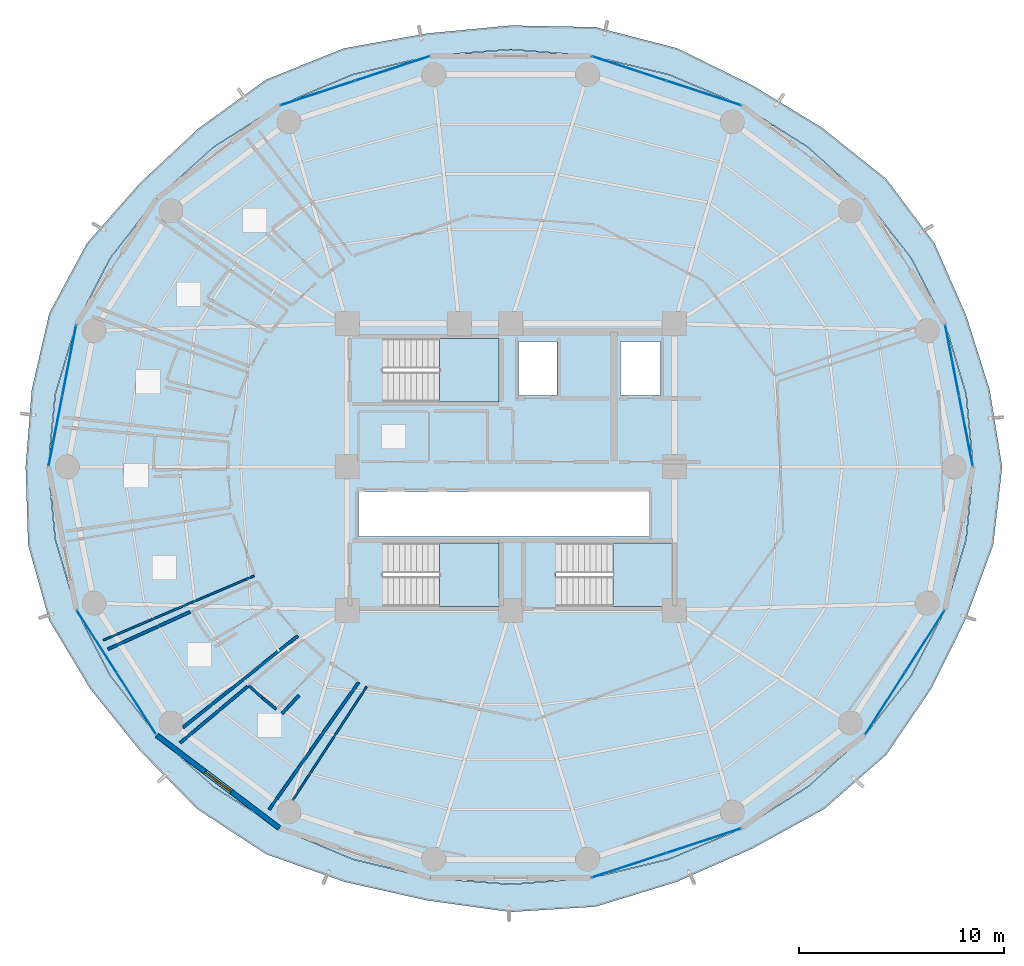
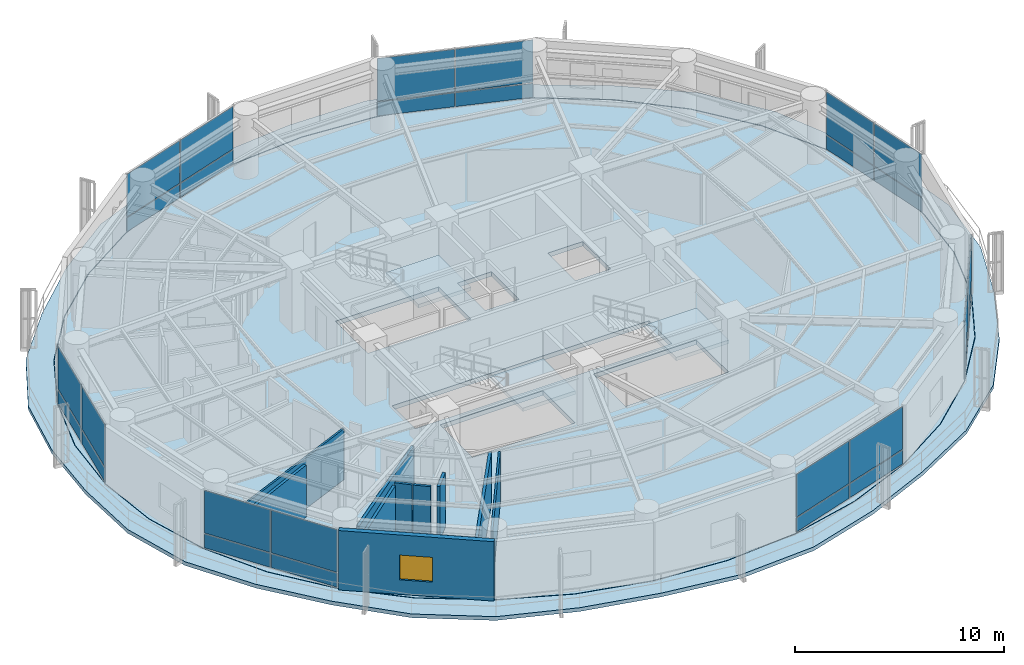
# One storey, part 20 of 28: 28 plates, 10 walls, 5 slabs, 1 window, 1 opening, 10 elements without a shape of their own.
"""IFC4 building model written with IfcOpenShell, lengths in metres."""

import ifcopenshell
import ifcopenshell.guid

model = None  # the IFC model being written
_history = None  # IfcOwnerHistory: only IFC2X3 demands one
_inside = {}  # id of a spatial element -> (the spatial element, [elements in it])
_under = {}  # id of a project, library or spatial element -> (it, [spatial elements below it])
_declared = {}  # id of a project -> (the project, [libraries it declares])
_typed = {}  # id of a type object -> (the type object, [elements of that type])
_made_of = {}  # id of a material, layer set ... -> (it, [elements and type objects made of it])


def new_model(schema):
    """Start an empty IFC model of exactly this schema.

    Asked for "IFC4X3", IfcOpenShell would pick the latest addendum, in which some entities
    have other attributes; the version numbers below select the first issue.
    IFC2X3 requires an IfcOwnerHistory on every rooted entity: one is made here for all.
    """
    global model, _history
    if schema == "IFC4X3":
        model = ifcopenshell.file(schema_version=(4, 3, 0, 0))
    else:
        model = ifcopenshell.file(schema=schema)
    _inside.clear()
    _under.clear()
    _declared.clear()
    _typed.clear()
    _made_of.clear()
    _history = None
    if model.schema == "IFC2X3":
        org = make("IfcOrganization", Name="unknown")
        user = make(
            "IfcPersonAndOrganization",
            ThePerson=make("IfcPerson", FamilyName="unknown"),
            TheOrganization=org,
        )
        app = make(
            "IfcApplication",
            ApplicationDeveloper=org,
            Version="unknown",
            ApplicationFullName="unknown",
            ApplicationIdentifier="unknown",
        )
        _history = make(
            "IfcOwnerHistory",
            OwningUser=user,
            OwningApplication=app,
            ChangeAction="ADDED",
            CreationDate=0,
        )
    return model


def make(cls, **values):
    """One entity of the class cls with the attributes given. An attribute that is None is left unset."""
    return model.create_entity(
        cls, **{name: value for name, value in values.items() if value is not None}
    )


def rooted(cls, **values):
    """An entity with a GlobalId (a new one), such as an element, a storey or a relation."""
    return make(cls, GlobalId=ifcopenshell.guid.new(), OwnerHistory=_history, **values)


def si_unit(unit_type, name, prefix=None):
    """IfcSIUnit, for example si_unit("LENGTHUNIT", "METRE", prefix="MILLI")."""
    return make("IfcSIUnit", UnitType=unit_type, Prefix=prefix, Name=name)


def assignment(units):
    """IfcUnitAssignment: the units of a project."""
    return None if units is None else make("IfcUnitAssignment", Units=units)


def point(xyz):
    """IfcCartesianPoint."""
    return None if xyz is None else make("IfcCartesianPoint", Coordinates=xyz)


def direction(xyz):
    """IfcDirection."""
    return None if xyz is None else make("IfcDirection", DirectionRatios=xyz)


def frame(location, z_axis=None, x_axis=None):
    """IfcAxis2Placement3D, a coordinate frame: its origin and axes. An axis left out is left unset."""
    return make(
        "IfcAxis2Placement3D",
        Location=point(location),
        Axis=direction(z_axis),
        RefDirection=direction(x_axis),
    )


def frame_2d(location, x_axis=None):
    """IfcAxis2Placement2D, a coordinate frame in the plane: its origin and x axis."""
    return make(
        "IfcAxis2Placement2D", Location=point(location), RefDirection=direction(x_axis)
    )


def origin():
    """The frame at (0, 0, 0) with its axes left unset."""
    return frame((0.0, 0.0, 0.0))


def origin_2d():
    """The frame at (0, 0) in the plane with its x axis left unset."""
    return frame_2d((0.0, 0.0))


def place(relative_to, where):
    """IfcLocalPlacement: puts the frame where relative to a parent placement (None: the world)."""
    return make(
        "IfcLocalPlacement", PlacementRelTo=relative_to, RelativePlacement=where
    )


def context(
    kind, dimensions, precision=None, world=None, true_north=None, identifier=None
):
    """IfcGeometricRepresentationContext, for example the 3D "Model" context."""
    return make(
        "IfcGeometricRepresentationContext",
        ContextIdentifier=identifier,
        ContextType=kind,
        CoordinateSpaceDimension=dimensions,
        Precision=precision,
        WorldCoordinateSystem=world,
        TrueNorth=true_north,
    )


def subcontext(parent, identifier, kind, view, scale=None):
    """IfcGeometricRepresentationSubContext, for example "Body" below "Model"."""
    return make(
        "IfcGeometricRepresentationSubContext",
        ContextIdentifier=identifier,
        ContextType=kind,
        ParentContext=parent,
        TargetScale=scale,
        TargetView=view,
    )


def project(units=None, contexts=None):
    """IfcProject with its units and contexts."""
    return rooted(
        "IfcProject",
        Name="project",
        RepresentationContexts=contexts,
        UnitsInContext=assignment(units),
    )


def spatial(cls, under=None, at=None, **own):
    """A site, building, storey or space (cls), placed at a placement, below another one or the project."""
    s = rooted(cls, ObjectPlacement=at, **own)
    if under is not None:
        _under.setdefault(under.id(), (under, []))[1].append(s)
    return s


def polyline(points):
    """IfcPolyline through the points."""
    return make("IfcPolyline", Points=[point(p) for p in points])


def profile(cls, at=None, kind="AREA", **sizes):
    """A parametric profile (cls). Its sizes go by their IFC names, for example OverallWidth=200.0."""
    return make(cls, ProfileType=kind, Position=at, **sizes)


def rectangle(**sizes):
    """IfcRectangleProfileDef."""
    return profile("IfcRectangleProfileDef", **sizes)


def outline(outer, holes=None, kind="AREA"):
    """IfcArbitraryClosedProfileDef: a profile drawn as a closed curve; with holes, ...WithVoids."""
    if holes is None:
        return make("IfcArbitraryClosedProfileDef", ProfileType=kind, OuterCurve=outer)
    return make(
        "IfcArbitraryProfileDefWithVoids",
        ProfileType=kind,
        OuterCurve=outer,
        InnerCurves=holes,
    )


def extrude(swept, where, along, depth):
    """IfcExtrudedAreaSolid: the profile swept, set in the frame where, extruded along a direction by depth."""
    return make(
        "IfcExtrudedAreaSolid",
        SweptArea=swept,
        Position=where,
        ExtrudedDirection=direction(along),
        Depth=depth,
    )


def shape(context_of_items, identifier, shape_type, items):
    """IfcShapeRepresentation: the items that make up one representation, for example the "Body"."""
    return make(
        "IfcShapeRepresentation",
        ContextOfItems=context_of_items,
        RepresentationIdentifier=identifier,
        RepresentationType=shape_type,
        Items=items,
    )


def source(mapping_origin, context_of_items, identifier, shape_type, items):
    """IfcRepresentationMap: a shape defined once, which mapped items show again and again."""
    return make(
        "IfcRepresentationMap",
        MappingOrigin=mapping_origin,
        MappedRepresentation=shape(context_of_items, identifier, shape_type, items),
    )


def transform(
    local_origin,
    x_axis=None,
    y_axis=None,
    z_axis=None,
    scale=None,
    scale2=None,
    scale3=None,
    uniform=True,
):
    """IfcCartesianTransformationOperator3D, or its non-uniform kind. x_axis, y_axis, z_axis: its Axis1, 2, 3."""
    if uniform:
        return make(
            "IfcCartesianTransformationOperator3D",
            Axis1=direction(x_axis),
            Axis2=direction(y_axis),
            LocalOrigin=point(local_origin),
            Scale=scale,
            Axis3=direction(z_axis),
        )
    return make(
        "IfcCartesianTransformationOperator3DnonUniform",
        Axis1=direction(x_axis),
        Axis2=direction(y_axis),
        LocalOrigin=point(local_origin),
        Scale=scale,
        Axis3=direction(z_axis),
        Scale2=scale2,
        Scale3=scale3,
    )


def mapped(mapping_source, mapping_target):
    """IfcMappedItem: shows the shape of a source again, moved by a transform."""
    return make(
        "IfcMappedItem", MappingSource=mapping_source, MappingTarget=mapping_target
    )


def material(Name=None, Category=None):
    """IfcMaterial."""
    return make("IfcMaterial", Name=Name, Category=Category)


def layer(
    of_material, thickness, ventilated=None, Name=None, Category=None, Priority=None
):
    """IfcMaterialLayer: one layer of a wall or slab, of a material (None: an air gap)."""
    return make(
        "IfcMaterialLayer",
        Material=of_material,
        LayerThickness=thickness,
        IsVentilated=ventilated,
        Name=Name,
        Category=Category,
        Priority=Priority,
    )


def layer_set(layers, Name=None):
    """IfcMaterialLayerSet."""
    return make("IfcMaterialLayerSet", MaterialLayers=layers, LayerSetName=Name)


def made_of(thing, what):
    """Note that an element or type object is made of a material, layer set ...; save() writes the relation."""
    if what is not None:
        _made_of.setdefault(what.id(), (what, []))[1].append(thing)
    return thing


def type_object(cls, material=None, **own):
    """A type object (cls), such as IfcWallType, which elements share."""
    return made_of(rooted(cls, **own), material)


def element(
    cls,
    number,
    at=None,
    inside=None,
    cuts=None,
    type_object=None,
    material=None,
    context=None,
    identifier="Body",
    shape_type=None,
    held_by="IfcProductDefinitionShape",
    body=None,
    shapes=None,
    **own,
):
    """One element of the class cls, such as IfcWall. Its Tag is "e" and its number.

    at: its placement. inside: the storey or other place that contains it. cuts: it is an
    opening in that element (IfcRelVoidsElement). A single representation is given by context,
    identifier, shape_type and body (its items); several are given by shapes. held_by: the class
    of the entity that holds the representations. save() writes the other relations.
    """
    e = rooted(cls, Tag="e%d" % number, ObjectPlacement=at, **own)
    if body is not None:
        shapes = [shape(context, identifier, shape_type, body)]
    if shapes is not None:
        e.Representation = make(held_by, Representations=shapes)
    if inside is not None:
        _inside.setdefault(inside.id(), (inside, []))[1].append(e)
    if cuts is not None:
        rooted(
            "IfcRelVoidsElement", RelatingBuildingElement=cuts, RelatedOpeningElement=e
        )
    if type_object is not None:
        _typed.setdefault(type_object.id(), (type_object, []))[1].append(e)
    return made_of(e, material)


def fill(opening, filler):
    """IfcRelFillsElement: the door or window that sits in an opening."""
    return rooted(
        "IfcRelFillsElement",
        RelatingOpeningElement=opening,
        RelatedBuildingElement=filler,
    )


def aggregate(whole, parts):
    """IfcRelAggregates: a whole, such as a stair, and the parts it consists of."""
    return rooted("IfcRelAggregates", RelatingObject=whole, RelatedObjects=parts)


def save(model, path):
    """Write the relations noted so far, then the file.

    IfcRelAggregates (storeys below a building ...), IfcRelContainedInSpatialStructure (elements
    in a storey), IfcRelDefinesByType, IfcRelAssociatesMaterial and IfcRelDeclares: one each for
    every whole, place, type object, material and project.
    """
    for whole, parts in _under.values():
        aggregate(whole, parts)
    for where, things in _inside.values():
        rooted(
            "IfcRelContainedInSpatialStructure",
            RelatedElements=things,
            RelatingStructure=where,
        )
    for kind, things in _typed.values():
        rooted("IfcRelDefinesByType", RelatedObjects=things, RelatingType=kind)
    for what, things in _made_of.values():
        rooted("IfcRelAssociatesMaterial", RelatedObjects=things, RelatingMaterial=what)
    for by, libraries in _declared.values():
        rooted("IfcRelDeclares", RelatingContext=by, RelatedDefinitions=libraries)
    model.write(path)


model = new_model("IFC4")

# Units and contexts
model_context = context("Model", 3, precision=1e-05, world=origin(), true_north=direction((0.0, 1.0)))
body_context = subcontext(model_context, "Body", "Model", "MODEL_VIEW")
ifc_project = project(units=[si_unit("LENGTHUNIT", "METRE"), si_unit("AREAUNIT", "SQUARE_METRE"), si_unit("VOLUMEUNIT", "CUBIC_METRE"), si_unit("PLANEANGLEUNIT", "RADIAN"), si_unit("MASSUNIT", "GRAM", prefix="KILO")], contexts=[model_context])

# Site, building, storey
site_placement = place(None, origin())
site = spatial("IfcSite", under=ifc_project, at=site_placement, CompositionType="ELEMENT")
building_placement = place(site_placement, origin())
building = spatial("IfcBuilding", under=site, at=building_placement, Name="Kelanora Arch Commons", CompositionType="ELEMENT")
storey_placement = place(building_placement, frame((0.0, 0.0, 176.85009765625)))
storey = spatial("IfcBuildingStorey", under=building, at=storey_placement, Name="L45", CompositionType="ELEMENT", Elevation=176.85009765625)

# Stair, slab
ifc_material_1 = material(Name="Concrete C40/50", Category="concrete")
stair_type = type_object("IfcStairType", Name="STR-DL-375", PredefinedType="HALF_TURN_STAIR", material=ifc_material_1)
stair_1_placement = place(storey_placement, origin())
stair_1 = element("IfcStair", 1, at=stair_1_placement, inside=storey, type_object=stair_type, Name="L45 ST-T1", PredefinedType="HALF_TURN_STAIR")
ifc_layer_1 = layer(ifc_material_1, 0.199951171875)
ifc_layer_set_1 = layer_set([ifc_layer_1], Name="Concrete C40/50")
slab_type_1 = type_object("IfcSlabType", Name="SLB-STAIR-LND", PredefinedType="LANDING", material=ifc_layer_set_1)
slab_1_placement = place(storey_placement, frame((0.0, 0.0, 1.6748046875)))
slab_1 = element("IfcSlab", 2, at=slab_1_placement, type_object=slab_type_1, Name="ST-T1 landing 1", PredefinedType="LANDING", context=body_context, shape_type="SweptSolid", body=[
    extrude(outline(polyline([(70.52001953125, 61.179931640625), (73.43994140625, 61.179931640625), (73.43994140625, 64.2900390625), (70.52001953125, 64.2900390625), (70.52001953125, 61.179931640625)])), origin(), (0.0, 0.0, 1.0), 0.2001953125),
])
aggregate(stair_1, [slab_1])

stair_2_placement = place(storey_placement, origin())
stair_2 = element("IfcStair", 3, at=stair_2_placement, inside=storey, type_object=stair_type, Name="L45 ST-T2", PredefinedType="HALF_TURN_STAIR")
slab_2_placement = place(storey_placement, frame((0.0, 0.0, 1.6748046875)))
slab_2 = element("IfcSlab", 4, at=slab_2_placement, type_object=slab_type_1, Name="ST-T2 landing 1", PredefinedType="LANDING", context=body_context, shape_type="SweptSolid", body=[
    extrude(outline(polyline([(79.0, 51.179931640625), (81.919921875, 51.179931640625), (81.919921875, 54.2900390625), (79.0, 54.2900390625), (79.0, 51.179931640625)])), origin(), (0.0, 0.0, 1.0), 0.2001953125),
])
aggregate(stair_2, [slab_2])

stair_3_placement = place(storey_placement, origin())
stair_3 = element("IfcStair", 5, at=stair_3_placement, inside=storey, type_object=stair_type, Name="L45 ST-T3", PredefinedType="HALF_TURN_STAIR")
slab_3_placement = place(storey_placement, frame((0.0, 0.0, 1.6748046875)))
slab_3 = element("IfcSlab", 6, at=slab_3_placement, type_object=slab_type_1, Name="ST-T3 landing 1", PredefinedType="LANDING", context=body_context, shape_type="SweptSolid", body=[
    extrude(outline(polyline([(70.52001953125, 51.179931640625), (73.43994140625, 51.179931640625), (73.43994140625, 54.2900390625), (70.52001953125, 54.2900390625), (70.52001953125, 51.179931640625)])), origin(), (0.0, 0.0, 1.0), 0.2001953125),
])
aggregate(stair_3, [slab_3])

# Slabs
ifc_layer_2 = layer(ifc_material_1, 0.260009765625)
ifc_layer_set_2 = layer_set([ifc_layer_2], Name="Concrete C40/50")
slab_type_2 = type_object("IfcSlabType", Name="SLB-TWR-TYP", PredefinedType="FLOOR", material=ifc_layer_set_2)
slab_4_placement = place(storey_placement, frame((0.0, 0.0, -0.260009765625)))
element("IfcSlab", 7, at=slab_4_placement, inside=storey, type_object=slab_type_2, Name="Tower Floor Slab L45", PredefinedType="FLOOR", context=body_context, shape_type="SweptSolid", body=[
    extrude(outline(polyline([(96.60009765625, 58.0), (96.256591796875, 61.54248046875), (95.237060546875, 64.977294921875), (93.572265625, 68.199951171875), (91.3125, 71.11279296875), (88.527099609375, 73.627197265625), (85.300048828125, 75.6669921875), (81.729736328125, 77.169677734375), (77.92431640625, 78.090087890625), (74.0, 78.39990234375), (70.07568359375, 78.090087890625), (66.270263671875, 77.169677734375), (62.699951171875, 75.6669921875), (59.472900390625, 73.627197265625), (56.6875, 71.11279296875), (54.427734375, 68.199951171875), (52.762939453125, 64.977294921875), (51.743408203125, 61.54248046875), (51.39990234375, 58.0), (51.743408203125, 54.45751953125), (52.762939453125, 51.022705078125), (54.427734375, 47.800048828125), (56.6875, 44.88720703125), (59.472900390625, 42.372802734375), (62.699951171875, 40.3330078125), (66.270263671875, 38.830322265625), (70.07568359375, 37.909912109375), (74.0, 37.60009765625), (77.92431640625, 37.909912109375), (81.729736328125, 38.830322265625), (85.300048828125, 40.3330078125), (88.527099609375, 42.372802734375), (91.3125, 44.88720703125), (93.572265625, 47.800048828125), (95.237060546875, 51.022705078125), (96.256591796875, 54.45751953125), (96.60009765625, 58.0)]), holes=[polyline([(73.431884765625, 51.18798828125), (67.72802734375, 51.18798828125), (67.72802734375, 54.281982421875), (73.431884765625, 54.281982421875), (73.431884765625, 51.18798828125)]), polyline([(76.2080078125, 51.18798828125), (76.2080078125, 54.281982421875), (81.912109375, 54.281982421875), (81.912109375, 51.18798828125), (76.2080078125, 51.18798828125)]), polyline([(66.550048828125, 54.60009765625), (66.550048828125, 56.800048828125), (80.75, 56.800048828125), (80.75, 54.60009765625), (66.550048828125, 54.60009765625)]), polyline([(73.431884765625, 61.18798828125), (67.72802734375, 61.18798828125), (67.72802734375, 64.281982421875), (73.431884765625, 64.281982421875), (73.431884765625, 61.18798828125)]), polyline([(74.3798828125, 61.47998046875), (74.3798828125, 64.1201171875), (76.260009765625, 64.1201171875), (76.260009765625, 61.47998046875), (74.3798828125, 61.47998046875)]), polyline([(79.3798828125, 61.47998046875), (79.3798828125, 64.1201171875), (81.320068359375, 64.1201171875), (81.320068359375, 61.47998046875), (79.3798828125, 61.47998046875)])]), origin(), (0.0, 0.0, 1.0), 0.260009765625),
])
ifc_layer_3 = layer(ifc_material_1, 0.219970703125)
ifc_layer_set_3 = layer_set([ifc_layer_3], Name="Concrete C40/50")
slab_type_3 = type_object("IfcSlabType", Name="SLB-WAVE-BAL", PredefinedType="FLOOR", material=ifc_layer_set_3)
slab_5_placement = place(storey_placement, frame((0.0, 0.0, -0.22021484375)))
element("IfcSlab", 8, at=slab_5_placement, inside=storey, type_object=slab_type_3, Name="Sinusoidal Wave Balcony Slab L45", PredefinedType="FLOOR", context=body_context, shape_type="SweptSolid", body=[
    extrude(outline(polyline([(98.025634765625, 58.0), (97.41455078125, 61.7685546875), (96.270263671875, 65.393798828125), (94.7177734375, 68.9326171875), (92.356689453125, 72.08349609375), (89.239501953125, 74.56787109375), (85.814697265625, 76.65478515625), (82.154052734375, 78.461669921875), (78.1484375, 79.498046875), (74.0, 79.579833984375), (69.900390625, 79.190185546875), (65.845947265625, 78.461669921875), (62.041015625, 76.93115234375), (58.760498046875, 74.56787109375), (55.87158203125, 71.871337890625), (53.2822265625, 68.9326171875), (51.440673828125, 65.510498046875), (50.58544921875, 61.7685546875), (50.2861328125, 58.0), (50.40869140625, 54.197021484375), (51.440673828125, 50.489501953125), (53.433837890625, 47.164306640625), (55.87158203125, 44.128662109375), (58.652099609375, 41.288818359375), (62.041015625, 39.06884765625), (65.902099609375, 37.70947265625), (69.900390625, 36.809814453125), (74.0, 36.240234375), (78.1484375, 36.501953125), (82.097900390625, 37.70947265625), (85.814697265625, 39.34521484375), (89.347900390625, 41.288818359375), (92.356689453125, 43.91650390625), (94.566162109375, 47.164306640625), (96.270263671875, 50.606201171875), (97.59130859375, 54.197021484375), (98.025634765625, 58.0)]), holes=[polyline([(96.2763671875, 54.4541015625), (95.255859375, 51.015869140625), (93.589599609375, 47.7900390625), (91.327880859375, 44.874267578125), (88.539794921875, 42.357421875), (85.31005859375, 40.31591796875), (81.736572265625, 38.8115234375), (77.927978515625, 37.89013671875), (74.0, 37.580078125), (70.072021484375, 37.89013671875), (66.263427734375, 38.8115234375), (62.68994140625, 40.31591796875), (59.460205078125, 42.357421875), (56.672119140625, 44.874267578125), (54.410400390625, 47.7900390625), (52.744140625, 51.015869140625), (51.7236328125, 54.4541015625), (51.3798828125, 58.0), (51.7236328125, 61.5458984375), (52.744140625, 64.984130859375), (54.410400390625, 68.2099609375), (56.672119140625, 71.125732421875), (59.460205078125, 73.642578125), (62.68994140625, 75.68408203125), (66.263427734375, 77.1884765625), (70.072021484375, 78.10986328125), (74.0, 78.419921875), (77.927978515625, 78.10986328125), (81.736572265625, 77.1884765625), (85.31005859375, 75.68408203125), (88.539794921875, 73.642578125), (91.327880859375, 71.125732421875), (93.589599609375, 68.2099609375), (95.255859375, 64.984130859375), (96.2763671875, 61.5458984375), (96.6201171875, 58.0), (96.2763671875, 54.4541015625)])]), origin(), (0.0, 0.0, 1.0), 0.22021484375),
])

# Curtain wall, plates
ifc_material_2 = material(Name="Terracotta ceramic-fritted low-E glass and aluminium", Category="masonry")
ifc_layer_4 = layer(ifc_material_2, 0.175048828125)
ifc_layer_set_4 = layer_set([ifc_layer_4], Name="Terracotta ceramic-fritted low-E glass and aluminium")
curtain_wall_type = type_object("IfcCurtainWallType", Name="CW-SYS-02", PredefinedType="NOTDEFINED", material=ifc_layer_set_4)
curtain_wall_1_placement = place(storey_placement, origin())
curtain_wall_1 = element("IfcCurtainWall", 9, at=curtain_wall_1_placement, inside=storey, type_object=curtain_wall_type, Name="Unitised Curtain Wall L45-B00", PredefinedType="NOTDEFINED")
ifc_material_3 = material(Name="Terracotta ceramic-fritted double glazing", Category="masonry")
ifc_layer_5 = layer(ifc_material_3, 0.028076171875)
ifc_layer_set_5 = layer_set([ifc_layer_5], Name="Terracotta ceramic-fritted double glazing")
plate_type = type_object("IfcPlateType", Name="CWP-FRIT", PredefinedType="CURTAIN_PANEL", material=ifc_layer_set_5)
shared_shape_1 = source(origin(), body_context, "Body", "SweptSolid", [
    extrude(rectangle(XDim=3.449462890625, YDim=0.028076171875, at=origin_2d()), origin(), (0.0, 0.0, 1.0), 0.81005859375),
])
plate_1_placement = place(storey_placement, frame((96.2548828125, 59.766357421875, 0.059814453125), z_axis=(0.0, 0.0, 1.0), x_axis=(-0.191705182375, 0.981452557718, 0.0)))
plate_1 = element("IfcPlate", 10, at=plate_1_placement, type_object=plate_type, Name="CW-02 panel 1.1", PredefinedType="CURTAIN_PANEL", context=body_context, shape_type="MappedRepresentation", body=[
    mapped(shared_shape_1, transform((0.0, 0.0, 0.0), scale=1.0)),
])
plate_2_placement = place(storey_placement, frame((95.58203125, 63.2109375, 0.059814453125), z_axis=(0.0, 0.0, 1.0), x_axis=(-0.191705182375, 0.981452557718, 0.0)))
plate_2 = element("IfcPlate", 11, at=plate_2_placement, type_object=plate_type, Name="CW-02 panel 2.1", PredefinedType="CURTAIN_PANEL", context=body_context, shape_type="MappedRepresentation", body=[
    mapped(shared_shape_1, transform((0.0, 0.0, 0.0), scale=1.0)),
])

curtain_wall_2_placement = place(storey_placement, origin())
curtain_wall_2 = element("IfcCurtainWall", 12, at=curtain_wall_2_placement, inside=storey, type_object=curtain_wall_type, Name="Unitised Curtain Wall L45-B08", PredefinedType="NOTDEFINED")
plate_3_placement = place(storey_placement, frame((52.41796875, 63.2109375, 0.059814453125), z_axis=(0.0, 0.0, 1.0), x_axis=(-0.191705182375, -0.981452557718, 0.0)))
plate_3 = element("IfcPlate", 13, at=plate_3_placement, type_object=plate_type, Name="CW-02 panel 1.1", PredefinedType="CURTAIN_PANEL", context=body_context, shape_type="MappedRepresentation", body=[
    mapped(shared_shape_1, transform((0.0, 0.0, 0.0), scale=1.0)),
])
plate_4_placement = place(storey_placement, frame((51.7451171875, 59.766357421875, 0.059814453125), z_axis=(0.0, 0.0, 1.0), x_axis=(-0.191705182375, -0.981452557718, 0.0)))
plate_4 = element("IfcPlate", 14, at=plate_4_placement, type_object=plate_type, Name="CW-02 panel 2.1", PredefinedType="CURTAIN_PANEL", context=body_context, shape_type="MappedRepresentation", body=[
    mapped(shared_shape_1, transform((0.0, 0.0, 0.0), scale=1.0)),
])

# Plate
shared_shape_2 = source(origin(), body_context, "Body", "SweptSolid", [
    extrude(rectangle(XDim=3.449462890625, YDim=0.028076171875, at=origin_2d()), origin(), (0.0, 0.0, 1.0), 2.485107421875),
])
plate_5_placement = place(storey_placement, frame((96.2548828125, 59.766357421875, 0.9296875), z_axis=(0.0, 0.0, 1.0), x_axis=(-0.191705182375, 0.981452557718, 0.0)))
plate_5 = element("IfcPlate", 15, at=plate_5_placement, type_object=plate_type, Name="CW-02 panel 1.2", PredefinedType="CURTAIN_PANEL", context=body_context, shape_type="MappedRepresentation", body=[
    mapped(shared_shape_2, transform((0.0, 0.0, 0.0), scale=1.0)),
])

plate_6_placement = place(storey_placement, frame((95.58203125, 63.2109375, 0.9296875), z_axis=(0.0, 0.0, 1.0), x_axis=(-0.191705182375, 0.981452557718, 0.0)))
plate_6 = element("IfcPlate", 16, at=plate_6_placement, type_object=plate_type, Name="CW-02 panel 2.2", PredefinedType="CURTAIN_PANEL", context=body_context, shape_type="MappedRepresentation", body=[
    mapped(shared_shape_2, transform((0.0, 0.0, 0.0), scale=1.0)),
])

aggregate(curtain_wall_1, [plate_1, plate_5, plate_2, plate_6])

plate_7_placement = place(storey_placement, frame((52.41796875, 63.2109375, 0.9296875), z_axis=(0.0, 0.0, 1.0), x_axis=(-0.191705182375, -0.981452557718, 0.0)))
plate_7 = element("IfcPlate", 17, at=plate_7_placement, type_object=plate_type, Name="CW-02 panel 1.2", PredefinedType="CURTAIN_PANEL", context=body_context, shape_type="MappedRepresentation", body=[
    mapped(shared_shape_2, transform((0.0, 0.0, 0.0), scale=1.0)),
])

plate_8_placement = place(storey_placement, frame((51.7451171875, 59.766357421875, 0.9296875), z_axis=(0.0, 0.0, 1.0), x_axis=(-0.191705182375, -0.981452557718, 0.0)))
plate_8 = element("IfcPlate", 18, at=plate_8_placement, type_object=plate_type, Name="CW-02 panel 2.2", PredefinedType="CURTAIN_PANEL", context=body_context, shape_type="MappedRepresentation", body=[
    mapped(shared_shape_2, transform((0.0, 0.0, 0.0), scale=1.0)),
])

aggregate(curtain_wall_2, [plate_3, plate_7, plate_4, plate_8])

# Curtain wall, plates
curtain_wall_3_placement = place(storey_placement, origin())
curtain_wall_3 = element("IfcCurtainWall", 19, at=curtain_wall_3_placement, inside=storey, type_object=curtain_wall_type, Name="Unitised Curtain Wall L45-B03", PredefinedType="NOTDEFINED")
shared_shape_3 = source(origin(), body_context, "Body", "SweptSolid", [
    extrude(rectangle(XDim=3.776611328125, YDim=0.028076171875, at=origin_2d()), origin(), (0.0, 0.0, 1.0), 0.81005859375),
])
plate_9_placement = place(storey_placement, frame((83.434814453125, 76.27978515625, 0.059814453125), z_axis=(0.0, 0.0, 1.0), x_axis=(-0.95003996605, 0.312128279571, 0.0)))
plate_9 = element("IfcPlate", 20, at=plate_9_placement, type_object=plate_type, Name="CW-02 panel 1.1", PredefinedType="CURTAIN_PANEL", context=body_context, shape_type="MappedRepresentation", body=[
    mapped(shared_shape_3, transform((0.0, 0.0, 0.0), scale=1.0)),
])
plate_10_placement = place(storey_placement, frame((79.789794921875, 77.477294921875, 0.059814453125), z_axis=(0.0, 0.0, 1.0), x_axis=(-0.95003996605, 0.312128279571, 0.0)))
plate_10 = element("IfcPlate", 21, at=plate_10_placement, type_object=plate_type, Name="CW-02 panel 2.1", PredefinedType="CURTAIN_PANEL", context=body_context, shape_type="MappedRepresentation", body=[
    mapped(shared_shape_3, transform((0.0, 0.0, 0.0), scale=1.0)),
])

curtain_wall_4_placement = place(storey_placement, origin())
curtain_wall_4 = element("IfcCurtainWall", 22, at=curtain_wall_4_placement, inside=storey, type_object=curtain_wall_type, Name="Unitised Curtain Wall L45-B05", PredefinedType="NOTDEFINED")
plate_11_placement = place(storey_placement, frame((68.210205078125, 77.477294921875, 0.059814453125), z_axis=(0.0, 0.0, 1.0), x_axis=(-0.95003996605, -0.312128279571, 0.0)))
plate_11 = element("IfcPlate", 23, at=plate_11_placement, type_object=plate_type, Name="CW-02 panel 1.1", PredefinedType="CURTAIN_PANEL", context=body_context, shape_type="MappedRepresentation", body=[
    mapped(shared_shape_3, transform((0.0, 0.0, 0.0), scale=1.0)),
])
plate_12_placement = place(storey_placement, frame((64.565185546875, 76.27978515625, 0.059814453125), z_axis=(0.0, 0.0, 1.0), x_axis=(-0.95003996605, -0.312128279571, 0.0)))
plate_12 = element("IfcPlate", 24, at=plate_12_placement, type_object=plate_type, Name="CW-02 panel 2.1", PredefinedType="CURTAIN_PANEL", context=body_context, shape_type="MappedRepresentation", body=[
    mapped(shared_shape_3, transform((0.0, 0.0, 0.0), scale=1.0)),
])

curtain_wall_5_placement = place(storey_placement, origin())
curtain_wall_5 = element("IfcCurtainWall", 25, at=curtain_wall_5_placement, inside=storey, type_object=curtain_wall_type, Name="Unitised Curtain Wall L45-B14", PredefinedType="NOTDEFINED")
plate_13_placement = place(storey_placement, frame((79.789794921875, 38.522705078125, 0.059814453125), z_axis=(0.0, 0.0, 1.0), x_axis=(0.95003996605, 0.312128279571, 0.0)))
plate_13 = element("IfcPlate", 26, at=plate_13_placement, type_object=plate_type, Name="CW-02 panel 1.1", PredefinedType="CURTAIN_PANEL", context=body_context, shape_type="MappedRepresentation", body=[
    mapped(shared_shape_3, transform((0.0, 0.0, 0.0), scale=1.0)),
])
plate_14_placement = place(storey_placement, frame((83.434814453125, 39.72021484375, 0.059814453125), z_axis=(0.0, 0.0, 1.0), x_axis=(0.95003996605, 0.312128279571, 0.0)))
plate_14 = element("IfcPlate", 27, at=plate_14_placement, type_object=plate_type, Name="CW-02 panel 2.1", PredefinedType="CURTAIN_PANEL", context=body_context, shape_type="MappedRepresentation", body=[
    mapped(shared_shape_3, transform((0.0, 0.0, 0.0), scale=1.0)),
])

# Plate
shared_shape_4 = source(origin(), body_context, "Body", "SweptSolid", [
    extrude(rectangle(XDim=3.776611328125, YDim=0.028076171875, at=origin_2d()), origin(), (0.0, 0.0, 1.0), 2.485107421875),
])
plate_15_placement = place(storey_placement, frame((83.434814453125, 76.27978515625, 0.9296875), z_axis=(0.0, 0.0, 1.0), x_axis=(-0.95003996605, 0.312128279571, 0.0)))
plate_15 = element("IfcPlate", 28, at=plate_15_placement, type_object=plate_type, Name="CW-02 panel 1.2", PredefinedType="CURTAIN_PANEL", context=body_context, shape_type="MappedRepresentation", body=[
    mapped(shared_shape_4, transform((0.0, 0.0, 0.0), scale=1.0)),
])

plate_16_placement = place(storey_placement, frame((79.789794921875, 77.477294921875, 0.9296875), z_axis=(0.0, 0.0, 1.0), x_axis=(-0.95003996605, 0.312128279571, 0.0)))
plate_16 = element("IfcPlate", 29, at=plate_16_placement, type_object=plate_type, Name="CW-02 panel 2.2", PredefinedType="CURTAIN_PANEL", context=body_context, shape_type="MappedRepresentation", body=[
    mapped(shared_shape_4, transform((0.0, 0.0, 0.0), scale=1.0)),
])

aggregate(curtain_wall_3, [plate_9, plate_15, plate_10, plate_16])

plate_17_placement = place(storey_placement, frame((68.210205078125, 77.477294921875, 0.9296875), z_axis=(0.0, 0.0, 1.0), x_axis=(-0.95003996605, -0.312128279571, 0.0)))
plate_17 = element("IfcPlate", 30, at=plate_17_placement, type_object=plate_type, Name="CW-02 panel 1.2", PredefinedType="CURTAIN_PANEL", context=body_context, shape_type="MappedRepresentation", body=[
    mapped(shared_shape_4, transform((0.0, 0.0, 0.0), scale=1.0)),
])

plate_18_placement = place(storey_placement, frame((64.565185546875, 76.27978515625, 0.9296875), z_axis=(0.0, 0.0, 1.0), x_axis=(-0.95003996605, -0.312128279571, 0.0)))
plate_18 = element("IfcPlate", 31, at=plate_18_placement, type_object=plate_type, Name="CW-02 panel 2.2", PredefinedType="CURTAIN_PANEL", context=body_context, shape_type="MappedRepresentation", body=[
    mapped(shared_shape_4, transform((0.0, 0.0, 0.0), scale=1.0)),
])

aggregate(curtain_wall_4, [plate_11, plate_17, plate_12, plate_18])

plate_19_placement = place(storey_placement, frame((79.789794921875, 38.522705078125, 0.9296875), z_axis=(0.0, 0.0, 1.0), x_axis=(0.95003996605, 0.312128279571, 0.0)))
plate_19 = element("IfcPlate", 32, at=plate_19_placement, type_object=plate_type, Name="CW-02 panel 1.2", PredefinedType="CURTAIN_PANEL", context=body_context, shape_type="MappedRepresentation", body=[
    mapped(shared_shape_4, transform((0.0, 0.0, 0.0), scale=1.0)),
])

plate_20_placement = place(storey_placement, frame((83.434814453125, 39.72021484375, 0.9296875), z_axis=(0.0, 0.0, 1.0), x_axis=(0.95003996605, 0.312128279571, 0.0)))
plate_20 = element("IfcPlate", 33, at=plate_20_placement, type_object=plate_type, Name="CW-02 panel 2.2", PredefinedType="CURTAIN_PANEL", context=body_context, shape_type="MappedRepresentation", body=[
    mapped(shared_shape_4, transform((0.0, 0.0, 0.0), scale=1.0)),
])

aggregate(curtain_wall_5, [plate_13, plate_19, plate_14, plate_20])

# Curtain wall, plates
curtain_wall_6_placement = place(storey_placement, origin())
curtain_wall_6 = element("IfcCurtainWall", 34, at=curtain_wall_6_placement, inside=storey, type_object=curtain_wall_type, Name="Unitised Curtain Wall L45-B10", PredefinedType="NOTDEFINED")
shared_shape_5 = source(origin(), body_context, "Body", "SweptSolid", [
    extrude(rectangle(XDim=3.53662109375, YDim=0.028076171875, at=origin_2d()), origin(), (0.0, 0.0, 1.0), 0.81005859375),
])
plate_21_placement = place(storey_placement, frame((53.756103515625, 49.469970703125, 0.059814453125), z_axis=(0.0, 0.0, 1.0), x_axis=(0.538816988983, -0.842422846546, 0.0)))
plate_21 = element("IfcPlate", 35, at=plate_21_placement, type_object=plate_type, Name="CW-02 panel 1.1", PredefinedType="CURTAIN_PANEL", context=body_context, shape_type="MappedRepresentation", body=[
    mapped(shared_shape_5, transform((0.0, 0.0, 0.0), scale=1.0)),
])
plate_22_placement = place(storey_placement, frame((55.694091796875, 46.43994140625, 0.059814453125), z_axis=(0.0, 0.0, 1.0), x_axis=(0.538816988983, -0.842422846546, 0.0)))
plate_22 = element("IfcPlate", 36, at=plate_22_placement, type_object=plate_type, Name="CW-02 panel 2.1", PredefinedType="CURTAIN_PANEL", context=body_context, shape_type="MappedRepresentation", body=[
    mapped(shared_shape_5, transform((0.0, 0.0, 0.0), scale=1.0)),
])

curtain_wall_7_placement = place(storey_placement, origin())
curtain_wall_7 = element("IfcCurtainWall", 37, at=curtain_wall_7_placement, inside=storey, type_object=curtain_wall_type, Name="Unitised Curtain Wall L45-B16", PredefinedType="NOTDEFINED")
plate_23_placement = place(storey_placement, frame((92.305908203125, 46.43994140625, 0.059814453125), z_axis=(0.0, 0.0, 1.0), x_axis=(0.538816988983, 0.842422846546, 0.0)))
plate_23 = element("IfcPlate", 38, at=plate_23_placement, type_object=plate_type, Name="CW-02 panel 1.1", PredefinedType="CURTAIN_PANEL", context=body_context, shape_type="MappedRepresentation", body=[
    mapped(shared_shape_5, transform((0.0, 0.0, 0.0), scale=1.0)),
])
plate_24_placement = place(storey_placement, frame((94.243896484375, 49.469970703125, 0.059814453125), z_axis=(0.0, 0.0, 1.0), x_axis=(0.538816988983, 0.842422846546, 0.0)))
plate_24 = element("IfcPlate", 39, at=plate_24_placement, type_object=plate_type, Name="CW-02 panel 2.1", PredefinedType="CURTAIN_PANEL", context=body_context, shape_type="MappedRepresentation", body=[
    mapped(shared_shape_5, transform((0.0, 0.0, 0.0), scale=1.0)),
])

# Plate
shared_shape_6 = source(origin(), body_context, "Body", "SweptSolid", [
    extrude(rectangle(XDim=3.53662109375, YDim=0.028076171875, at=origin_2d()), origin(), (0.0, 0.0, 1.0), 2.485107421875),
])
plate_25_placement = place(storey_placement, frame((53.756103515625, 49.469970703125, 0.9296875), z_axis=(0.0, 0.0, 1.0), x_axis=(0.538816988983, -0.842422846546, 0.0)))
plate_25 = element("IfcPlate", 40, at=plate_25_placement, type_object=plate_type, Name="CW-02 panel 1.2", PredefinedType="CURTAIN_PANEL", context=body_context, shape_type="MappedRepresentation", body=[
    mapped(shared_shape_6, transform((0.0, 0.0, 0.0), scale=1.0)),
])

plate_26_placement = place(storey_placement, frame((55.694091796875, 46.43994140625, 0.9296875), z_axis=(0.0, 0.0, 1.0), x_axis=(0.538816988983, -0.842422846546, 0.0)))
plate_26 = element("IfcPlate", 41, at=plate_26_placement, type_object=plate_type, Name="CW-02 panel 2.2", PredefinedType="CURTAIN_PANEL", context=body_context, shape_type="MappedRepresentation", body=[
    mapped(shared_shape_6, transform((0.0, 0.0, 0.0), scale=1.0)),
])

aggregate(curtain_wall_6, [plate_21, plate_25, plate_22, plate_26])

plate_27_placement = place(storey_placement, frame((92.305908203125, 46.43994140625, 0.9296875), z_axis=(0.0, 0.0, 1.0), x_axis=(0.538816988983, 0.842422846546, 0.0)))
plate_27 = element("IfcPlate", 42, at=plate_27_placement, type_object=plate_type, Name="CW-02 panel 1.2", PredefinedType="CURTAIN_PANEL", context=body_context, shape_type="MappedRepresentation", body=[
    mapped(shared_shape_6, transform((0.0, 0.0, 0.0), scale=1.0)),
])

plate_28_placement = place(storey_placement, frame((94.243896484375, 49.469970703125, 0.9296875), z_axis=(0.0, 0.0, 1.0), x_axis=(0.538816988983, 0.842422846546, 0.0)))
plate_28 = element("IfcPlate", 43, at=plate_28_placement, type_object=plate_type, Name="CW-02 panel 2.2", PredefinedType="CURTAIN_PANEL", context=body_context, shape_type="MappedRepresentation", body=[
    mapped(shared_shape_6, transform((0.0, 0.0, 0.0), scale=1.0)),
])

aggregate(curtain_wall_7, [plate_23, plate_27, plate_24, plate_28])

# Walls
ifc_material_4 = material(Name="Autoclaved aerated concrete blockwork with fire plaster", Category="masonry")
ifc_layer_6 = layer(ifc_material_4, 0.14990234375)
ifc_layer_set_6 = layer_set([ifc_layer_6], Name="Autoclaved aerated concrete blockwork with fire plaster")
wall_type_1 = type_object("IfcWallType", Name="W-COMP-150", PredefinedType="PARTITIONING", material=ifc_layer_set_6)
wall_1_placement = place(storey_placement, frame((63.601806640625, 49.748046875, 0.0), z_axis=(0.0, 0.0, 1.0), x_axis=(-0.781921185322, -0.623377301435, 0.0)))
element("IfcWall", 44, at=wall_1_placement, inside=storey, type_object=wall_type_1, Name="Cluster Bedroom L45-06 Enclosure Partition 2", PredefinedType="PARTITIONING", context=body_context, shape_type="SweptSolid", body=[
    extrude(rectangle(XDim=7.189697265625, YDim=0.14990234375, at=frame_2d((3.5947265625, 0.0))), origin(), (0.0, 0.0, 1.0), 2.974853515625),
])
wall_2_placement = place(storey_placement, frame((54.308349609375, 49.08837890625, 0.0), z_axis=(0.0, 0.0, 1.0), x_axis=(0.910561522486, 0.413373576524, 0.0)))
element("IfcWall", 45, at=wall_2_placement, inside=storey, type_object=wall_type_1, Name="Cluster Bedroom L45-06 Enclosure Partition 5", PredefinedType="PARTITIONING", context=body_context, shape_type="SweptSolid", body=[
    extrude(rectangle(XDim=4.4130859375, YDim=0.14990234375, at=frame_2d((2.20654296875, 0.0))), origin(), (0.0, 0.0, 1.0), 3.02490234375),
])
wall_3_placement = place(storey_placement, frame((66.56689453125, 47.472412109375, 0.0), z_axis=(0.0, 0.0, 1.0), x_axis=(-0.575029116879, -0.818132944417, 0.0)))
element("IfcWall", 46, at=wall_3_placement, inside=storey, type_object=wall_type_1, Name="Cluster Bedroom L45-07 Enclosure Partition 2", PredefinedType="PARTITIONING", context=body_context, shape_type="SweptSolid", body=[
    extrude(rectangle(XDim=7.6083984375, YDim=0.14990234375, at=frame_2d((3.80419921875, 0.0))), origin(), (0.0, 0.0, 1.0), 2.974853515625),
])
wall_4_placement = place(storey_placement, frame((57.8408203125, 44.5078125, 0.0), z_axis=(0.0, 0.0, 1.0), x_axis=(0.766673820116, 0.642036800774, 0.0)))
element("IfcWall", 47, at=wall_4_placement, inside=storey, type_object=wall_type_1, Name="Cluster Bedroom L45-07 Enclosure Partition 5", PredefinedType="PARTITIONING", context=body_context, shape_type="SweptSolid", body=[
    extrude(rectangle(XDim=4.299560546875, YDim=0.14990234375, at=frame_2d((2.14990234375, 0.0))), origin(), (0.0, 0.0, 1.0), 3.02490234375),
])
wall_5_placement = place(storey_placement, frame((62.821044921875, 45.935302734375, 0.0), z_axis=(0.0, 0.0, 1.0), x_axis=(0.678404878428, 0.734688247439, 0.0)))
element("IfcWall", 48, at=wall_5_placement, inside=storey, type_object=wall_type_1, Name="Cluster Bedroom L45-07 Enclosure Partition 7", PredefinedType="PARTITIONING", context=body_context, shape_type="SweptSolid", body=[
    extrude(rectangle(XDim=1.218994140625, YDim=0.14990234375, at=frame_2d((0.609375, 0.0))), origin(), (0.0, 0.0, 1.0), 3.1748046875),
])

# Wall, opening, window
ifc_material_5 = material(Name="Precast concrete C40/50 with terracotta rainscreen", Category="masonry")
ifc_layer_7 = layer(ifc_material_5, 0.260009765625)
ifc_layer_set_7 = layer_set([ifc_layer_7], Name="Precast concrete C40/50 with terracotta rainscreen")
wall_type_2 = type_object("IfcWallType", Name="W-EXT-TC", PredefinedType="SOLIDWALL", material=ifc_layer_set_7)
wall_6_placement = place(storey_placement, frame((56.699462890625, 44.8779296875, 0.0), z_axis=(0.0, 0.0, 1.0), x_axis=(0.797163719609, -0.603763202042, 0.0)))
wall_6 = element("IfcWall", 49, at=wall_6_placement, inside=storey, type_object=wall_type_2, Name="Terracotta Exterior Wall L45-B11", PredefinedType="SOLIDWALL", context=body_context, shape_type="SweptSolid", body=[
    extrude(rectangle(XDim=7.51220703125, YDim=0.260009765625, at=frame_2d((3.756103515625, 0.0))), origin(), (0.0, 0.0, 1.0), 3.474853515625),
])
opening_placement = place(wall_6_placement, frame((2.9560546875, 0.0, 0.85009765625)))
opening = element("IfcOpeningElement", 50, at=opening_placement, cuts=wall_6, Name="Opening WN-01", PredefinedType="OPENING", context=body_context, shape_type="SweptSolid", body=[
    extrude(rectangle(XDim=1.60009765625, YDim=1.449951171875, at=frame_2d((0.800048828125, 0.72509765625))), frame((0.0, 0.14013671875, 0.0), z_axis=(0.0, -1.0, 0.0), x_axis=(1.0, 0.0, 0.0)), (0.0, 0.0, 1.0), 0.280029296875),
])
ifc_material_6 = material(Name="Terracotta-anodised aluminium frame with operable low-E glazing", Category="masonry")
window_type = type_object("IfcWindowType", Name="WIN-CL-18", PartitioningType="DOUBLE_PANEL_VERTICAL", PredefinedType="WINDOW", material=ifc_material_6)
window_placement = place(opening_placement, origin())
window = element("IfcWindow", 51, at=window_placement, inside=storey, type_object=window_type, Name="Co-Living Operable Window L45-B11", OverallHeight=1.449951171875, OverallWidth=1.60009765625, PartitioningType="SINGLE_PANEL", PredefinedType="WINDOW", context=body_context, shape_type="SweptSolid", body=[
    extrude(rectangle(XDim=1.60009765625, YDim=1.449951171875, at=frame_2d((0.800048828125, 0.72509765625))), frame((0.0, 0.030029296875, 0.0), z_axis=(0.0, -1.0, 0.0), x_axis=(1.0, 0.0, 0.0)), (0.0, 0.0, 1.0), 0.06005859375),
])
fill(opening, window)

# Walls
ifc_material_7 = material(Name="Lightweight fire-rated acoustic stud partition")
ifc_layer_8 = layer(ifc_material_7, 0.10009765625)
ifc_layer_set_8 = layer_set([ifc_layer_8], Name="Lightweight fire-rated acoustic stud partition")
wall_type_3 = type_object("IfcWallType", Name="W-PART-100", PredefinedType="PARTITIONING", material=ifc_layer_set_8)
wall_7_placement = place(storey_placement, frame((63.35107421875, 41.724853515625, 0.0), z_axis=(0.0, 0.0, 1.0), x_axis=(0.546294843463, 0.837592946487, 0.0)))
element("IfcWall", 52, at=wall_7_placement, inside=storey, type_object=wall_type_3, Name="South-East Shared Study Commons L45 Enclosure Partition 10", PredefinedType="PARTITIONING", context=body_context, shape_type="SweptSolid", body=[
    extrude(rectangle(XDim=6.604248046875, YDim=0.10009765625, at=frame_2d((3.30224609375, 0.0))), origin(), (0.0, 0.0, 1.0), 2.974853515625),
])
wall_8_placement = place(storey_placement, frame((61.458251953125, 52.67529296875, 0.0), z_axis=(0.0, 0.0, 1.0), x_axis=(-0.919801141081, -0.392384837713, 0.0)))
element("IfcWall", 53, at=wall_8_placement, inside=storey, type_object=wall_type_3, Name="Shared Cluster Kitchen L45-05 Enclosure Partition 2", PredefinedType="PARTITIONING", context=body_context, shape_type="SweptSolid", body=[
    extrude(rectangle(XDim=8.029541015625, YDim=0.10009765625, at=frame_2d((4.0146484375, 0.0))), origin(), (0.0, 0.0, 1.0), 2.974853515625),
])
ifc_material_8 = material(Name="Moisture-resistant fire-rated cement-board plumbing wall")
ifc_layer_9 = layer(ifc_material_8, 0.1298828125)
ifc_layer_set_9 = layer_set([ifc_layer_9], Name="Moisture-resistant fire-rated cement-board plumbing wall")
wall_type_4 = type_object("IfcWallType", Name="W-WET-120", PredefinedType="PLUMBINGWALL", material=ifc_layer_set_9)
wall_9_placement = place(storey_placement, frame((62.53759765625, 46.15380859375, 0.0), z_axis=(0.0, 0.0, 1.0), x_axis=(-0.772085608201, 0.635518539154, 0.0)))
element("IfcWall", 54, at=wall_9_placement, inside=storey, type_object=wall_type_4, Name="En-Suite Shower WC L45-07 Enclosure Partition 4", PredefinedType="PLUMBINGWALL", context=body_context, shape_type="SweptSolid", body=[
    extrude(rectangle(XDim=0.861572265625, YDim=0.1298828125, at=frame_2d((0.4306640625, 0.0))), origin(), (0.0, 0.0, 1.0), 3.1748046875),
])
wall_10_placement = place(storey_placement, frame((61.84228515625, 46.7275390625, 0.0), z_axis=(0.0, 0.0, 1.0), x_axis=(-0.735982119843, 0.67700097435, 0.0)))
element("IfcWall", 55, at=wall_10_placement, inside=storey, type_object=wall_type_4, Name="En-Suite Shower WC L45-07 Enclosure Partition 5", PredefinedType="PLUMBINGWALL", context=body_context, shape_type="SweptSolid", body=[
    extrude(rectangle(XDim=0.85693359375, YDim=0.1298828125, at=frame_2d((0.428466796875, 0.0))), origin(), (0.0, 0.0, 1.0), 3.1748046875),
])

save(model, "model.ifc")
